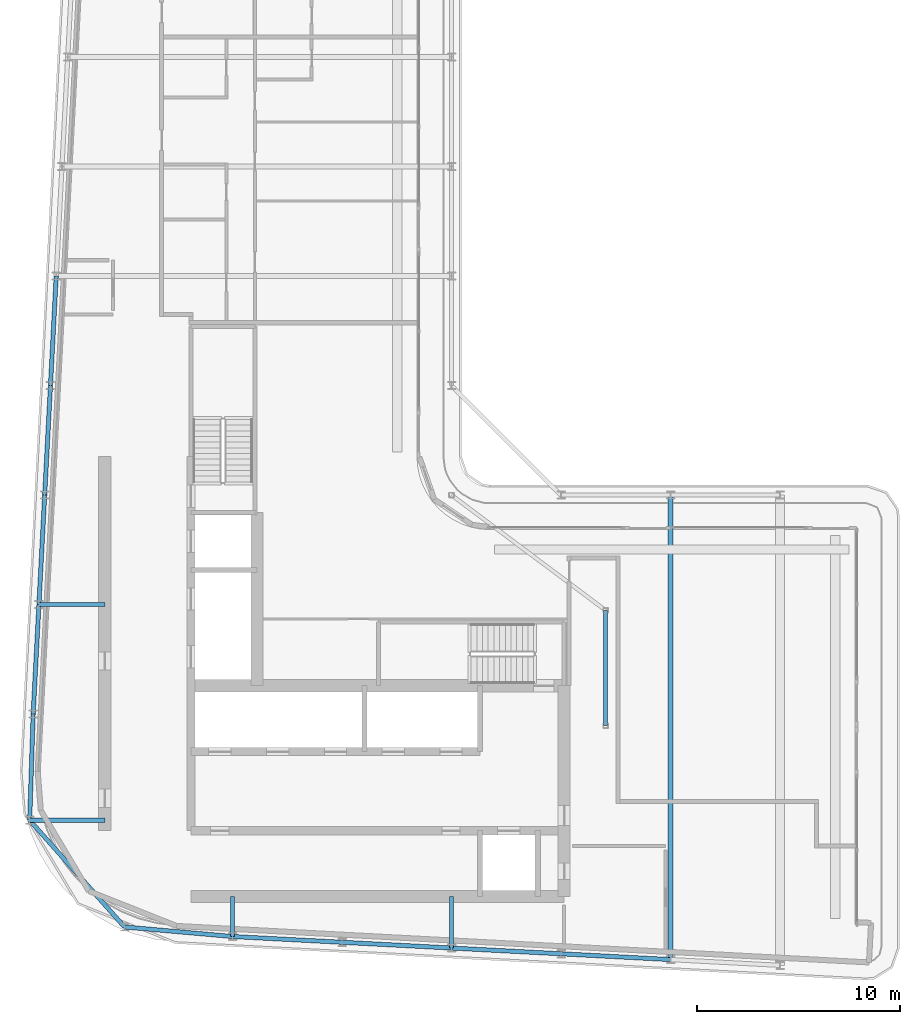
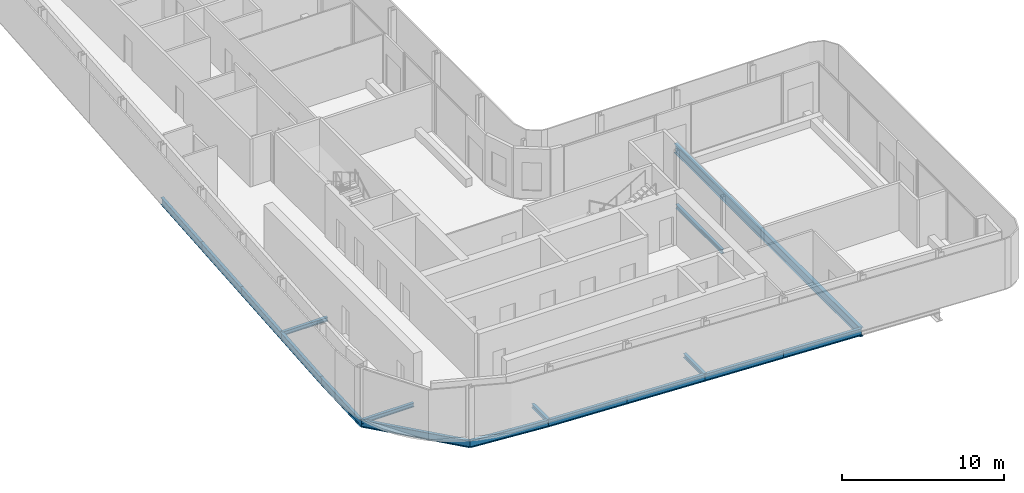
# One storey, part 5 of 20: 17 beams.
"""IFC4 building model written with IfcOpenShell, lengths in metres."""

from ifc_helpers import new_model, si_unit, direction, frame, origin, origin_2d, place, context, subcontext, project, spatial, i_section, extrude, material, material_profile, profile_set, type_object, element, save


model = new_model("IFC4")

# Units and contexts
model_context = context("Model", 3, precision=1e-05, world=origin(), true_north=direction((0.0, 1.0)))
body_context = subcontext(model_context, "Body", "Model", "MODEL_VIEW")
ifc_project = project(units=[si_unit("LENGTHUNIT", "METRE"), si_unit("AREAUNIT", "SQUARE_METRE"), si_unit("VOLUMEUNIT", "CUBIC_METRE"), si_unit("PLANEANGLEUNIT", "RADIAN"), si_unit("MASSUNIT", "GRAM", prefix="KILO")], contexts=[model_context])

# Site, building, storey
site_placement = place(None, origin())
site = spatial("IfcSite", under=ifc_project, at=site_placement, CompositionType="ELEMENT")
building_placement = place(site_placement, origin())
building = spatial("IfcBuilding", under=site, at=building_placement, Name="Kheshtan School and Residences Tower", CompositionType="ELEMENT")
storey_placement = place(building_placement, frame((0.0, 0.0, 286.39990234375)))
storey = spatial("IfcBuildingStorey", under=building, at=storey_placement, Name="L67", CompositionType="ELEMENT", Elevation=286.39990234375)

# Beams
ifc_material = material(Name="Steel ASTM A992 Grade 50", Category="steel")
ifc_material_profile_1 = material_profile(ifc_material, i_section(OverallWidth=0.202880859375, OverallDepth=0.302978515625, WebThickness=0.007568359375, FlangeThickness=0.01318359375, FilletRadius=0.009033203125, at=origin_2d()), Name="W310x60")
ifc_profile_set_1 = profile_set([ifc_material_profile_1], Name="Steel ASTM A992 Grade 50")
beam_type_1 = type_object("IfcBeamType", Name="Beam FB1 W310x60 ASTM A992 Grade 50", PredefinedType="BEAM", material=ifc_profile_set_1)
beam_1_placement = place(storey_placement, frame((47.60009765625, 23.263916015625, -0.301513671875), z_axis=(0.0, 1.0, 0.0), x_axis=(-1.0, 0.0, 0.0)))
element("IfcBeam", 1, at=beam_1_placement, inside=storey, type_object=beam_type_1, Name="Floor beam C020", PredefinedType="BEAM", context=body_context, shape_type="SweptSolid", body=[
    extrude(i_section(OverallWidth=0.202880859375, OverallDepth=0.302978515625, WebThickness=0.007568359375, FlangeThickness=0.01318359375, FilletRadius=0.009033203125, at=origin_2d()), origin(), (0.0, 0.0, 1.0), 2.5361328125),
])
beam_2_placement = place(storey_placement, frame((36.800048828125, 23.83203125, -0.301513671875), z_axis=(0.0, 1.0, 0.0), x_axis=(-1.0, 0.0, 0.0)))
element("IfcBeam", 2, at=beam_2_placement, inside=storey, type_object=beam_type_1, Name="Floor beam C022", PredefinedType="BEAM", context=body_context, shape_type="SweptSolid", body=[
    extrude(i_section(OverallWidth=0.202880859375, OverallDepth=0.302978515625, WebThickness=0.007568359375, FlangeThickness=0.01318359375, FilletRadius=0.009033203125, at=origin_2d()), origin(), (0.0, 0.0, 1.0), 1.968017578125),
])
beam_3_placement = place(storey_placement, frame((26.797119140625, 29.56591796875, -0.301513671875), z_axis=(1.0, 0.0, 0.0), x_axis=(0.0, 1.0, 0.0)))
element("IfcBeam", 3, at=beam_3_placement, inside=storey, type_object=beam_type_1, Name="Floor beam C044", PredefinedType="BEAM", context=body_context, shape_type="SweptSolid", body=[
    extrude(i_section(OverallWidth=0.202880859375, OverallDepth=0.302978515625, WebThickness=0.007568359375, FlangeThickness=0.01318359375, FilletRadius=0.009033203125, at=origin_2d()), origin(), (0.0, 0.0, 1.0), 3.702880859375),
])
beam_4_placement = place(storey_placement, frame((27.2529296875, 40.199951171875, -0.301513671875), z_axis=(1.0, 0.0, 0.0), x_axis=(0.0, 1.0, 0.0)))
element("IfcBeam", 4, at=beam_4_placement, inside=storey, type_object=beam_type_1, Name="Floor beam C056", PredefinedType="BEAM", context=body_context, shape_type="SweptSolid", body=[
    extrude(i_section(OverallWidth=0.202880859375, OverallDepth=0.302978515625, WebThickness=0.007568359375, FlangeThickness=0.01318359375, FilletRadius=0.009033203125, at=origin_2d()), origin(), (0.0, 0.0, 1.0), 3.2470703125),
])
beam_5_placement = place(storey_placement, frame((55.199951171875, 34.23193359375, -0.301513671875), z_axis=(0.0, 1.0, 0.0), x_axis=(-1.0, 0.0, 0.0)))
element("IfcBeam", 5, at=beam_5_placement, inside=storey, type_object=beam_type_1, Name="Floor beam IC", PredefinedType="BEAM", context=body_context, shape_type="SweptSolid", body=[
    extrude(i_section(OverallWidth=0.202880859375, OverallDepth=0.302978515625, WebThickness=0.007568359375, FlangeThickness=0.01318359375, FilletRadius=0.009033203125, at=origin_2d()), origin(), (0.0, 0.0, 1.0), 5.68408203125),
])
ifc_material_profile_2 = material_profile(ifc_material, i_section(OverallWidth=0.2529296875, OverallDepth=0.677978515625, WebThickness=0.01171875, FlangeThickness=0.016357421875, FilletRadius=0.0146484375, at=origin_2d()), Name="W690x125")
ifc_profile_set_2 = profile_set([ifc_material_profile_2], Name="Steel ASTM A992 Grade 50")
beam_type_2 = type_object("IfcBeamType", Name="Beam FB6 W690x125 ASTM A992 Grade 50", PredefinedType="BEAM", material=ifc_profile_set_2)
beam_6_placement = place(storey_placement, frame((58.39990234375, 22.695068359375, -0.489013671875), z_axis=(0.0, 1.0, 0.0), x_axis=(-1.0, 0.0, 0.0)))
element("IfcBeam", 6, at=beam_6_placement, inside=storey, type_object=beam_type_2, Name="Floor beam C018", PredefinedType="BEAM", context=body_context, shape_type="SweptSolid", body=[
    extrude(i_section(OverallWidth=0.2529296875, OverallDepth=0.677978515625, WebThickness=0.01171875, FlangeThickness=0.016357421875, FilletRadius=0.0146484375, at=origin_2d()), origin(), (0.0, 0.0, 1.0), 22.905029296875),
])
ifc_material_profile_3 = material_profile(ifc_material, i_section(OverallWidth=0.208984375, OverallDepth=0.532958984375, WebThickness=0.01025390625, FlangeThickness=0.015625, FilletRadius=0.013916015625, at=origin_2d()), Name="W530x92")
ifc_profile_set_3 = profile_set([ifc_material_profile_3], Name="Steel ASTM A992 Grade 50")
beam_type_3 = type_object("IfcBeamType", Name="Beam SP3 W530x92 ASTM A992 Grade 50", PredefinedType="BEAM", material=ifc_profile_set_3)
for number, where, z_axis, x_axis, name in (
    (7, (58.39990234375, 22.695068359375, -0.41650390625), (-0.998610961136, 0.052689166816, 0.0), (-0.052689166816, -0.998610961136, 0.0), "Spandrel beam C018-C019"),
    (8, (53.0, 22.97998046875, -0.41650390625), (-0.998620447272, 0.05250906864, 0.0), (-0.05250906864, -0.998620447272, 0.0), "Spandrel beam C019-C020"),
):
    element("IfcBeam", number, at=place(storey_placement, frame(where, z_axis=z_axis, x_axis=x_axis)), inside=storey, type_object=beam_type_3, Name=name, PredefinedType="BEAM", context=body_context, shape_type="SweptSolid", body=[
        extrude(i_section(OverallWidth=0.208984375, OverallDepth=0.532958984375, WebThickness=0.01025390625, FlangeThickness=0.015625, FilletRadius=0.013916015625, at=origin_2d()), origin(), (0.0, 0.0, 1.0), 5.407470703125),
    ])
beam_7_placement = place(storey_placement, frame((47.60009765625, 23.263916015625, -0.41650390625), z_axis=(-0.998618203458, 0.052551724256, 0.0), x_axis=(-0.052551724256, -0.998618203458, 0.0)))
element("IfcBeam", 9, at=beam_7_placement, inside=storey, type_object=beam_type_3, Name="Spandrel beam C020-C021", PredefinedType="BEAM", context=body_context, shape_type="SweptSolid", body=[
    extrude(i_section(OverallWidth=0.208984375, OverallDepth=0.532958984375, WebThickness=0.01025390625, FlangeThickness=0.015625, FilletRadius=0.013916015625, at=origin_2d()), origin(), (0.0, 0.0, 1.0), 5.40771484375),
])
beam_8_placement = place(storey_placement, frame((42.199951171875, 23.548095703125, -0.41650390625), z_axis=(-0.998620447272, 0.05250906864, 0.0), x_axis=(-0.05250906864, -0.998620447272, 0.0)))
element("IfcBeam", 10, at=beam_8_placement, inside=storey, type_object=beam_type_3, Name="Spandrel beam C021-C022", PredefinedType="BEAM", context=body_context, shape_type="SweptSolid", body=[
    extrude(i_section(OverallWidth=0.208984375, OverallDepth=0.532958984375, WebThickness=0.01025390625, FlangeThickness=0.015625, FilletRadius=0.013916015625, at=origin_2d()), origin(), (0.0, 0.0, 1.0), 5.407470703125),
])
beam_9_placement = place(storey_placement, frame((36.800048828125, 23.83203125, -0.41650390625), z_axis=(-0.996129262073, 0.087900473504, 0.0), x_axis=(-0.087900473504, -0.996129262073, 0.0)))
element("IfcBeam", 11, at=beam_9_placement, inside=storey, type_object=beam_type_3, Name="Spandrel beam C022-C031", PredefinedType="BEAM", context=body_context, shape_type="SweptSolid", body=[
    extrude(i_section(OverallWidth=0.208984375, OverallDepth=0.532958984375, WebThickness=0.01025390625, FlangeThickness=0.015625, FilletRadius=0.013916015625, at=origin_2d()), origin(), (0.0, 0.0, 1.0), 5.3466796875),
])
beam_10_placement = place(storey_placement, frame((31.47412109375, 24.302001953125, -0.41650390625), z_axis=(-0.664202421408, 0.747552769639, 0.0), x_axis=(-0.747552769639, -0.664202421408, 0.0)))
element("IfcBeam", 12, at=beam_10_placement, inside=storey, type_object=beam_type_3, Name="Spandrel beam C031-C044", PredefinedType="BEAM", context=body_context, shape_type="SweptSolid", body=[
    extrude(i_section(OverallWidth=0.208984375, OverallDepth=0.532958984375, WebThickness=0.01025390625, FlangeThickness=0.015625, FilletRadius=0.013916015625, at=origin_2d()), origin(), (0.0, 0.0, 1.0), 7.04150390625),
])
beam_11_placement = place(storey_placement, frame((26.797119140625, 29.56591796875, -0.41650390625), z_axis=(0.032819662671, 0.999461289767, 0.0), x_axis=(-0.999461289767, 0.032819662671, 0.0)))
element("IfcBeam", 13, at=beam_11_placement, inside=storey, type_object=beam_type_3, Name="Spandrel beam C044-C052", PredefinedType="BEAM", context=body_context, shape_type="SweptSolid", body=[
    extrude(i_section(OverallWidth=0.208984375, OverallDepth=0.532958984375, WebThickness=0.01025390625, FlangeThickness=0.015625, FilletRadius=0.013916015625, at=origin_2d()), origin(), (0.0, 0.0, 1.0), 5.237060546875),
])
beam_12_placement = place(storey_placement, frame((26.968994140625, 34.800048828125, -0.41650390625), z_axis=(0.05250906864, 0.998620447272, 0.0), x_axis=(-0.998620447272, 0.05250906864, 0.0)))
element("IfcBeam", 14, at=beam_12_placement, inside=storey, type_object=beam_type_3, Name="Spandrel beam C052-C056", PredefinedType="BEAM", context=body_context, shape_type="SweptSolid", body=[
    extrude(i_section(OverallWidth=0.208984375, OverallDepth=0.532958984375, WebThickness=0.01025390625, FlangeThickness=0.015625, FilletRadius=0.013916015625, at=origin_2d()), origin(), (0.0, 0.0, 1.0), 5.407470703125),
])
beam_13_placement = place(storey_placement, frame((27.2529296875, 40.199951171875, -0.41650390625), z_axis=(0.052551724256, 0.998618203458, 0.0), x_axis=(-0.998618203458, 0.052551724256, 0.0)))
element("IfcBeam", 15, at=beam_13_placement, inside=storey, type_object=beam_type_3, Name="Spandrel beam C056-C059", PredefinedType="BEAM", context=body_context, shape_type="SweptSolid", body=[
    extrude(i_section(OverallWidth=0.208984375, OverallDepth=0.532958984375, WebThickness=0.01025390625, FlangeThickness=0.015625, FilletRadius=0.013916015625, at=origin_2d()), origin(), (0.0, 0.0, 1.0), 5.40771484375),
])
for number, where, z_axis, x_axis, name in (
    (16, (27.537109375, 45.60009765625, -0.41650390625), (0.052689166816, 0.998610961136, 0.0), (-0.998610961136, 0.052689166816, 0.0), "Spandrel beam C059-C078"),
    (17, (27.822021484375, 51.0, -0.41650390625), (0.05250906864, 0.998620447272, 0.0), (-0.998620447272, 0.05250906864, 0.0), "Spandrel beam C078-C080"),
):
    element("IfcBeam", number, at=place(storey_placement, frame(where, z_axis=z_axis, x_axis=x_axis)), inside=storey, type_object=beam_type_3, Name=name, PredefinedType="BEAM", context=body_context, shape_type="SweptSolid", body=[
        extrude(i_section(OverallWidth=0.208984375, OverallDepth=0.532958984375, WebThickness=0.01025390625, FlangeThickness=0.015625, FilletRadius=0.013916015625, at=origin_2d()), origin(), (0.0, 0.0, 1.0), 5.407470703125),
    ])

save(model, "model.ifc")
